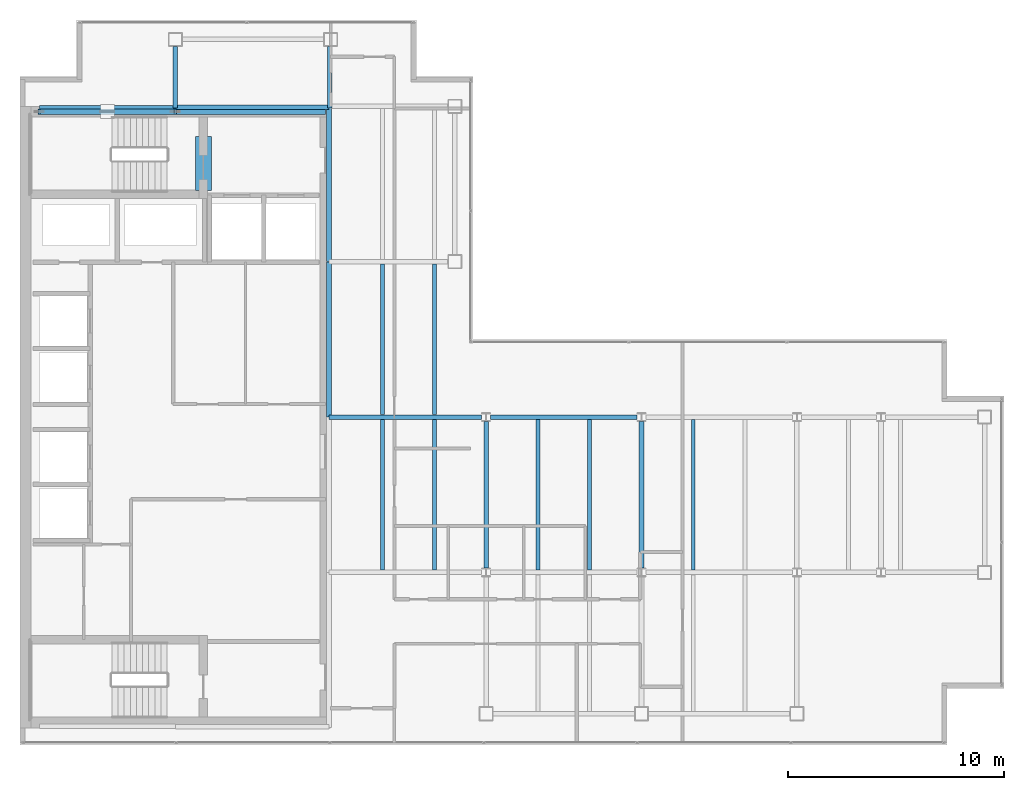
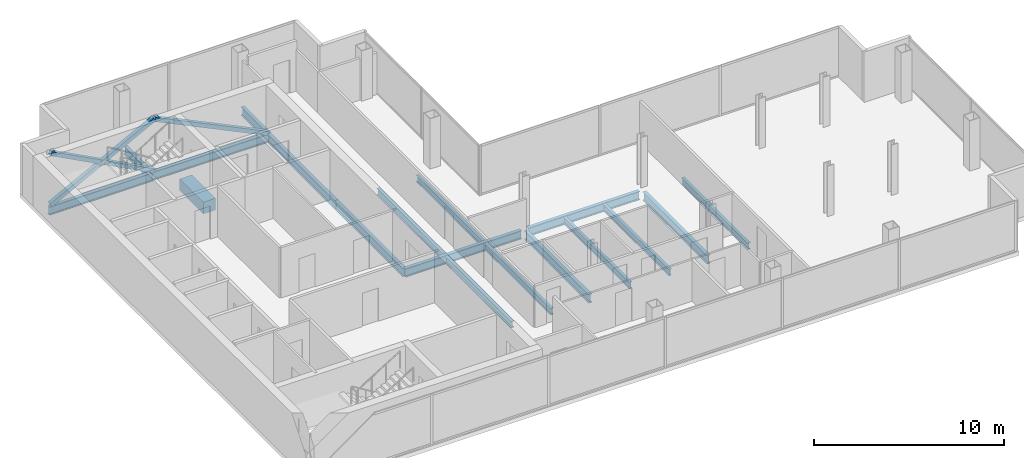
# One storey, part 7 of 23: 18 beams, 4 members.
"""IFC4 building model written with IfcOpenShell, lengths in metres."""

from ifc_helpers import new_model, si_unit, direction, frame, origin, origin_2d, place, context, subcontext, project, spatial, rectangle, hollow_rectangle, i_section, extrude, material, material_profile, profile_set, type_object, element, save


model = new_model("IFC4")

# Units and contexts
model_context = context("Model", 3, precision=1e-05, world=origin(), true_north=direction((0.0, 1.0)))
body_context = subcontext(model_context, "Body", "Model", "MODEL_VIEW")
ifc_project = project(units=[si_unit("LENGTHUNIT", "METRE"), si_unit("AREAUNIT", "SQUARE_METRE"), si_unit("VOLUMEUNIT", "CUBIC_METRE"), si_unit("PLANEANGLEUNIT", "RADIAN"), si_unit("MASSUNIT", "GRAM", prefix="KILO")], contexts=[model_context])

# Site, building, storey
site_placement = place(None, origin())
site = spatial("IfcSite", under=ifc_project, at=site_placement, CompositionType="ELEMENT")
building_placement = place(site_placement, origin())
building = spatial("IfcBuilding", under=site, at=building_placement, Name="Cobrela Telecom Tower", CompositionType="ELEMENT")
storey_placement = place(building_placement, frame((0.0, 0.0, 276.14990234375)))
storey = spatial("IfcBuildingStorey", under=building, at=storey_placement, Name="L72", CompositionType="ELEMENT", Elevation=276.14990234375)

# Beams
ifc_material_1 = material(Name="Concrete C40/50", Category="concrete")
ifc_material_profile_1 = material_profile(ifc_material_1, rectangle(XDim=0.75, YDim=0.75, at=origin_2d()), Name="RC 750x750")
ifc_profile_set_1 = profile_set([ifc_material_profile_1], Name="Concrete C40/50")
beam_type_1 = type_object("IfcBeamType", Name="BM-COUP-RC", PredefinedType="LINTEL", material=ifc_profile_set_1)
beam_1_placement = place(storey_placement, frame((8.5, 32.10009765625, -0.60986328125), z_axis=(0.0, 1.0, 0.0), x_axis=(-1.0, 0.0, 0.0)))
element("IfcBeam", 1, at=beam_1_placement, inside=storey, type_object=beam_type_1, Name="L72 Core Coupling Lintel Beam", PredefinedType="LINTEL", context=body_context, shape_type="SweptSolid", body=[
    extrude(rectangle(XDim=0.75, YDim=0.75, at=origin_2d()), origin(), (0.0, 0.0, 1.0), 2.5),
])
ifc_material_2 = material(Name="Steel ASTM A992 Grade 50", Category="steel")
ifc_material_profile_2 = material_profile(ifc_material_2, i_section(OverallWidth=0.212890625, OverallDepth=0.549072265625, WebThickness=0.0146484375, FlangeThickness=0.023681640625, FilletRadius=0.013916015625, at=origin_2d()), Name="W21X93")
ifc_profile_set_2 = profile_set([ifc_material_profile_2], Name="Steel ASTM A992 Grade 50")
beam_type_2 = type_object("IfcBeamType", Name="BM-GIRD-08", PredefinedType="USERDEFINED", material=ifc_profile_set_2)
beam_2_placement = place(storey_placement, frame((14.324951171875, 21.60009765625, -0.534423828125), z_axis=(1.0, 0.0, 0.0), x_axis=(0.0, 1.0, 0.0)))
element("IfcBeam", 2, at=beam_2_placement, inside=storey, type_object=beam_type_2, Name="L72 Primary Girder X10", ObjectType="GIRDER", PredefinedType="USERDEFINED", context=body_context, shape_type="SweptSolid", body=[
    extrude(i_section(OverallWidth=0.212890625, OverallDepth=0.549072265625, WebThickness=0.0146484375, FlangeThickness=0.023681640625, FilletRadius=0.013916015625, at=origin_2d()), origin(), (0.0, 0.0, 1.0), 7.070556640625),
])
beam_3_placement = place(storey_placement, frame((21.804443359375, 21.60009765625, -0.534423828125), z_axis=(1.0, 0.0, 0.0), x_axis=(0.0, 1.0, 0.0)))
element("IfcBeam", 3, at=beam_3_placement, inside=storey, type_object=beam_type_2, Name="L72 Primary Girder X11", ObjectType="GIRDER", PredefinedType="USERDEFINED", context=body_context, shape_type="SweptSolid", body=[
    extrude(i_section(OverallWidth=0.212890625, OverallDepth=0.549072265625, WebThickness=0.0146484375, FlangeThickness=0.023681640625, FilletRadius=0.013916015625, at=origin_2d()), origin(), (0.0, 0.0, 1.0), 6.791015625),
])
beam_4_placement = place(storey_placement, frame((0.905029296875, 35.919921875, -0.534423828125), z_axis=(1.0, 0.0, 0.0), x_axis=(0.0, 1.0, 0.0)))
element("IfcBeam", 4, at=beam_4_placement, inside=storey, type_object=beam_type_2, Name="L72 Primary Girder X16", ObjectType="GIRDER", PredefinedType="USERDEFINED", context=body_context, shape_type="SweptSolid", body=[
    extrude(i_section(OverallWidth=0.212890625, OverallDepth=0.549072265625, WebThickness=0.0146484375, FlangeThickness=0.023681640625, FilletRadius=0.013916015625, at=origin_2d()), origin(), (0.0, 0.0, 1.0), 6.2900390625),
])
beam_5_placement = place(storey_placement, frame((7.205078125, 35.9599609375, -0.534423828125), z_axis=(1.0, 0.0, 0.0), x_axis=(0.0, 1.0, 0.0)))
element("IfcBeam", 5, at=beam_5_placement, inside=storey, type_object=beam_type_2, Name="L72 Primary Girder X17", ObjectType="GIRDER", PredefinedType="USERDEFINED", context=body_context, shape_type="SweptSolid", body=[
    extrude(i_section(OverallWidth=0.212890625, OverallDepth=0.549072265625, WebThickness=0.0146484375, FlangeThickness=0.023681640625, FilletRadius=0.013916015625, at=origin_2d()), origin(), (0.0, 0.0, 1.0), 7.10986328125),
])
beam_6_placement = place(storey_placement, frame((7.199951171875, 35.925048828125, -0.534423828125), z_axis=(0.0, 1.0, 0.0), x_axis=(-1.0, 0.0, 0.0)))
element("IfcBeam", 6, at=beam_6_placement, inside=storey, type_object=beam_type_2, Name="L72 Primary Girder Y20", ObjectType="GIRDER", PredefinedType="USERDEFINED", context=body_context, shape_type="SweptSolid", body=[
    extrude(i_section(OverallWidth=0.212890625, OverallDepth=0.549072265625, WebThickness=0.0146484375, FlangeThickness=0.023681640625, FilletRadius=0.013916015625, at=origin_2d()), origin(), (0.0, 0.0, 1.0), 2.844970703125),
])
beam_7_placement = place(storey_placement, frame((14.320068359375, 21.60498046875, -0.534423828125), z_axis=(0.0, 1.0, 0.0), x_axis=(-1.0, 0.0, 0.0)))
element("IfcBeam", 7, at=beam_7_placement, inside=storey, type_object=beam_type_2, Name="L72 Primary Girder Y23", ObjectType="GIRDER", PredefinedType="USERDEFINED", context=body_context, shape_type="SweptSolid", body=[
    extrude(i_section(OverallWidth=0.212890625, OverallDepth=0.549072265625, WebThickness=0.0146484375, FlangeThickness=0.023681640625, FilletRadius=0.013916015625, at=origin_2d()), origin(), (0.0, 0.0, 1.0), 7.18994140625),
])
beam_8_placement = place(storey_placement, frame((14.320068359375, 28.804931640625, -0.534423828125), z_axis=(0.0, 1.0, 0.0), x_axis=(-1.0, 0.0, 0.0)))
element("IfcBeam", 8, at=beam_8_placement, inside=storey, type_object=beam_type_2, Name="L72 Primary Girder Y24", ObjectType="GIRDER", PredefinedType="USERDEFINED", context=body_context, shape_type="SweptSolid", body=[
    extrude(i_section(OverallWidth=0.212890625, OverallDepth=0.549072265625, WebThickness=0.0146484375, FlangeThickness=0.023681640625, FilletRadius=0.013916015625, at=origin_2d()), origin(), (0.0, 0.0, 1.0), 7.110107421875),
])
beam_9_placement = place(storey_placement, frame((14.360107421875, 35.925048828125, -0.534423828125), z_axis=(0.0, 1.0, 0.0), x_axis=(-1.0, 0.0, 0.0)))
element("IfcBeam", 9, at=beam_9_placement, inside=storey, type_object=beam_type_2, Name="L72 Primary Girder Y25", ObjectType="GIRDER", PredefinedType="USERDEFINED", context=body_context, shape_type="SweptSolid", body=[
    extrude(i_section(OverallWidth=0.212890625, OverallDepth=0.549072265625, WebThickness=0.0146484375, FlangeThickness=0.023681640625, FilletRadius=0.013916015625, at=origin_2d()), origin(), (0.0, 0.0, 1.0), 2.844970703125),
])
for number, where, z_axis, x_axis, name in (
    (10, (21.60009765625, 14.6044921875, -0.534423828125), (0.0, 1.0, 0.0), (-1.0, 0.0, 0.0), "L72 Primary Girder Y28"),
    (11, (28.800048828125, 14.6044921875, -0.534423828125), (0.0, 1.0, 0.0), (-1.0, 0.0, 0.0), "L72 Primary Girder Y30"),
):
    element("IfcBeam", number, at=place(storey_placement, frame(where, z_axis=z_axis, x_axis=x_axis)), inside=storey, type_object=beam_type_2, Name=name, ObjectType="GIRDER", PredefinedType="USERDEFINED", context=body_context, shape_type="SweptSolid", body=[
        extrude(i_section(OverallWidth=0.212890625, OverallDepth=0.549072265625, WebThickness=0.0146484375, FlangeThickness=0.023681640625, FilletRadius=0.013916015625, at=origin_2d()), origin(), (0.0, 0.0, 1.0), 6.791015625),
    ])
ifc_material_profile_3 = material_profile(ifc_material_2, i_section(OverallWidth=0.179931640625, OverallDepth=0.4169921875, WebThickness=0.010986328125, FlangeThickness=0.01806640625, FilletRadius=0.011962890625, at=origin_2d()), Name="W16X57")
ifc_profile_set_3 = profile_set([ifc_material_profile_3], Name="Steel ASTM A992 Grade 50")
beam_type_3 = type_object("IfcBeamType", Name="BM-JOIST-04", PredefinedType="JOIST", material=ifc_profile_set_3)
for number, where, z_axis, x_axis, name in (
    (12, (16.800048828125, 14.511474609375, -0.468505859375), (0.0, 1.0, 0.0), (-1.0, 0.0, 0.0), "L72 Secondary Composite Floor Beam J01"),
    (13, (16.800048828125, 21.71142578125, -0.468505859375), (0.0, 1.0, 0.0), (-1.0, 0.0, 0.0), "L72 Secondary Composite Floor Beam J02"),
    (14, (19.199951171875, 14.511474609375, -0.468505859375), (0.0, 1.0, 0.0), (-1.0, 0.0, 0.0), "L72 Secondary Composite Floor Beam J04"),
    (15, (19.199951171875, 21.71142578125, -0.468505859375), (0.0, 1.0, 0.0), (-1.0, 0.0, 0.0), "L72 Secondary Composite Floor Beam J05"),
    (16, (24.0, 14.511474609375, -0.468505859375), (0.0, 1.0, 0.0), (-1.0, 0.0, 0.0), "L72 Secondary Composite Floor Beam J08"),
    (17, (26.39990234375, 14.511474609375, -0.468505859375), (0.0, 1.0, 0.0), (-1.0, 0.0, 0.0), "L72 Secondary Composite Floor Beam J10"),
    (18, (31.199951171875, 14.511474609375, -0.468505859375), (0.0, 1.0, 0.0), (-1.0, 0.0, 0.0), "L72 Secondary Composite Floor Beam J12"),
):
    element("IfcBeam", number, at=place(storey_placement, frame(where, z_axis=z_axis, x_axis=x_axis)), inside=storey, type_object=beam_type_3, Name=name, PredefinedType="JOIST", context=body_context, shape_type="SweptSolid", body=[
        extrude(i_section(OverallWidth=0.179931640625, OverallDepth=0.4169921875, WebThickness=0.010986328125, FlangeThickness=0.01806640625, FilletRadius=0.011962890625, at=origin_2d()), origin(), (0.0, 0.0, 1.0), 6.97705078125),
    ])

# Members
ifc_material_3 = material(Name="Steel ASTM A572 Grade 50", Category="steel")
ifc_material_profile_4 = material_profile(ifc_material_3, hollow_rectangle(XDim=0.25, YDim=0.25, WallThickness=0.013916015625, at=origin_2d()), Name="HSS 250x250x14")
ifc_profile_set_4 = profile_set([ifc_material_profile_4], Name="Steel ASTM A572 Grade 50")
member_type = type_object("IfcMemberType", Name="MBR-EXO-04", PredefinedType="BRACE", material=ifc_profile_set_4)
member_1_placement = place(storey_placement, frame((0.89990234375, 35.75, -0.039794921875), z_axis=(0.884686085315, 0.0, 0.466187226821), x_axis=(0.0, 1.0, 0.0)))
element("IfcMember", 19, at=member_1_placement, inside=storey, type_object=member_type, Name="L72 Core Flange Steel X-Brace Continuous A", PredefinedType="BRACE", context=body_context, shape_type="SweptSolid", body=[
    extrude(hollow_rectangle(XDim=0.25, YDim=0.25, WallThickness=0.013916015625, at=origin_2d()), origin(), (0.0, 0.0, 1.0), 7.121337890625),
])
member_2_placement = place(storey_placement, frame((7.199951171875, 35.75, -0.039794921875), z_axis=(-0.884702916743, 0.0, 0.466155284328), x_axis=(0.0, -1.0, 0.0)))
element("IfcMember", 20, at=member_2_placement, inside=storey, type_object=member_type, Name="L72 Core Flange Steel X-Brace Split B1", PredefinedType="BRACE", context=body_context, shape_type="SweptSolid", body=[
    extrude(hollow_rectangle(XDim=0.25, YDim=0.25, WallThickness=0.013916015625, at=origin_2d()), origin(), (0.0, 0.0, 1.0), 3.42041015625),
])
member_3_placement = place(storey_placement, frame((3.926025390625, 35.75, 1.685302734375), z_axis=(-0.884673479945, 0.0, 0.466211147317), x_axis=(0.0, -1.0, 0.0)))
element("IfcMember", 21, at=member_3_placement, inside=storey, type_object=member_type, Name="L72 Core Flange Steel X-Brace Split B2", PredefinedType="BRACE", context=body_context, shape_type="SweptSolid", body=[
    extrude(hollow_rectangle(XDim=0.25, YDim=0.25, WallThickness=0.013916015625, at=origin_2d()), origin(), (0.0, 0.0, 1.0), 3.420654296875),
])
member_4_placement = place(storey_placement, frame((14.10009765625, 35.75, -0.039794921875), z_axis=(-0.901127639633, 0.0, 0.433553891793), x_axis=(0.0, -1.0, 0.0)))
element("IfcMember", 22, at=member_4_placement, inside=storey, type_object=member_type, Name="L72 Core Flange Steel Brace N2", PredefinedType="BRACE", context=body_context, shape_type="SweptSolid", body=[
    extrude(hollow_rectangle(XDim=0.25, YDim=0.25, WallThickness=0.013916015625, at=origin_2d()), origin(), (0.0, 0.0, 1.0), 7.6572265625),
])

save(model, "model.ifc")
